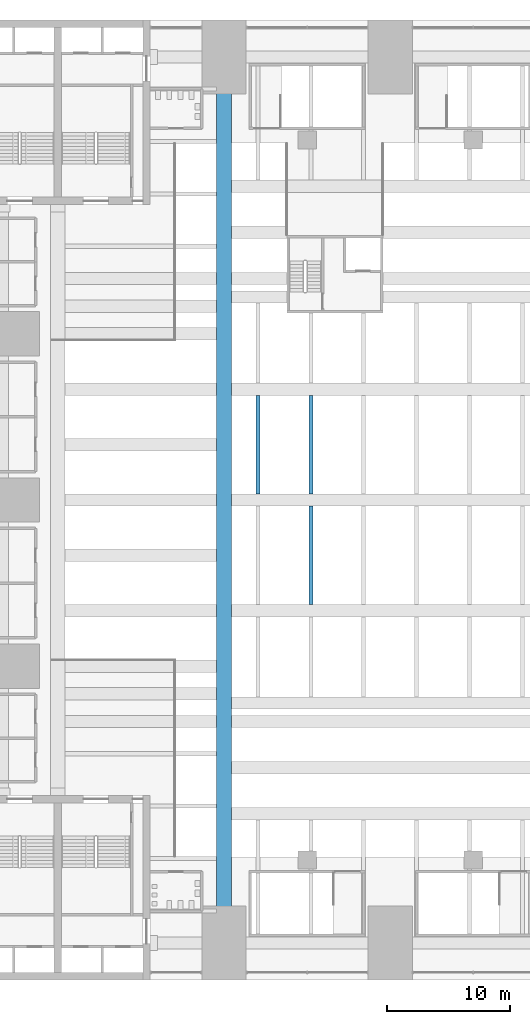
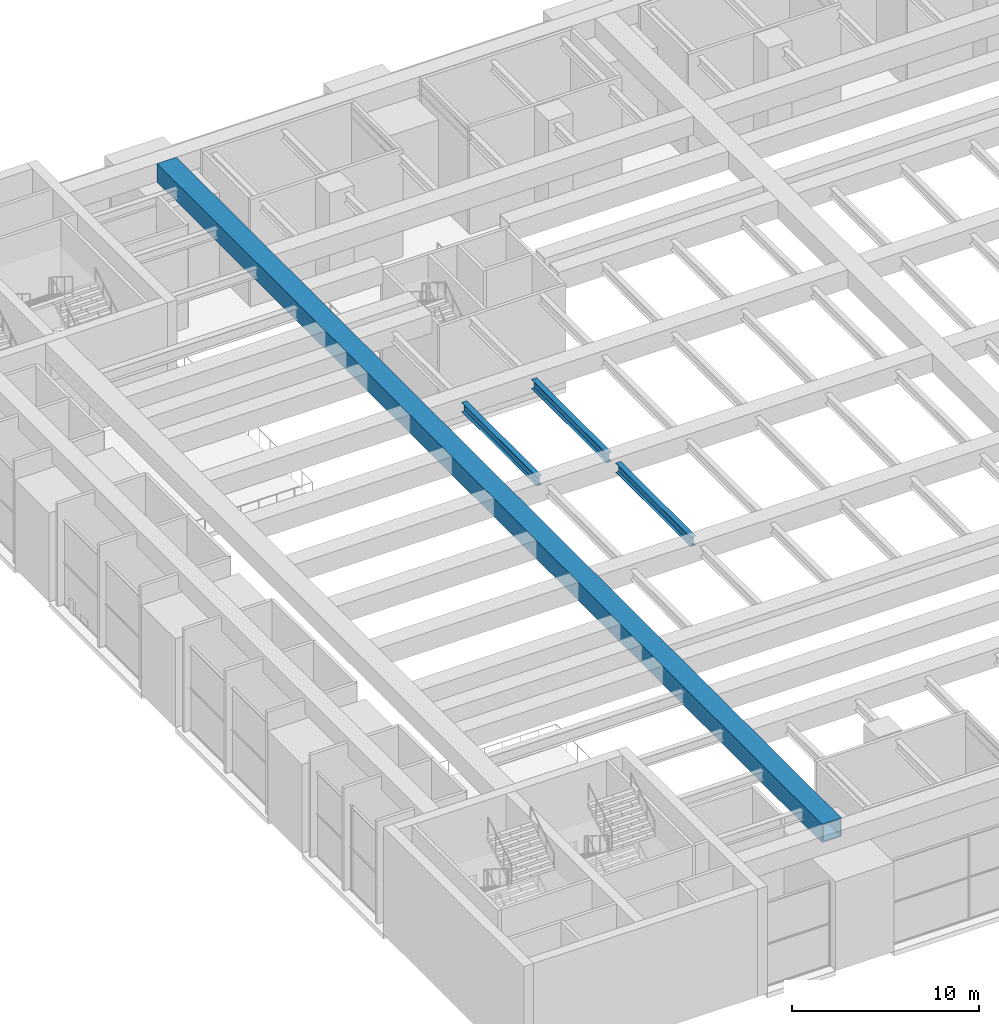
# One storey, part 11 of 45: 3 beams, 1 member.
"""IFC4 building model written with IfcOpenShell, lengths in metres."""

from ifc_helpers import new_model, si_unit, direction, frame, origin, origin_2d, place, context, subcontext, project, spatial, hollow_rectangle, i_section, extrude, material, material_profile, profile_set, type_object, element, save


model = new_model("IFC4")

# Units and contexts
model_context = context("Model", 3, precision=1e-05, world=origin(), true_north=direction((0.0, 1.0)))
body_context = subcontext(model_context, "Body", "Model", "MODEL_VIEW")
ifc_project = project(units=[si_unit("LENGTHUNIT", "METRE"), si_unit("AREAUNIT", "SQUARE_METRE"), si_unit("VOLUMEUNIT", "CUBIC_METRE"), si_unit("PLANEANGLEUNIT", "RADIAN"), si_unit("MASSUNIT", "GRAM", prefix="KILO")], contexts=[model_context])

# Site, building, storey
site_placement = place(None, origin())
site = spatial("IfcSite", under=ifc_project, at=site_placement, CompositionType="ELEMENT")
building_placement = place(site_placement, origin())
building = spatial("IfcBuilding", under=site, at=building_placement, Name="Corbelhall Arena Tower", CompositionType="ELEMENT")
storey_placement = place(building_placement, frame((0.0, 0.0, 37.0)))
storey = spatial("IfcBuildingStorey", under=building, at=storey_placement, Name="L05", CompositionType="ELEMENT", Elevation=37.0)

# Beams
ifc_material_1 = material(Name="Steel ASTM A992 Gr50", Category="steel")
ifc_material_profile_1 = material_profile(ifc_material_1, i_section(OverallWidth=0.323974609375, OverallDepth=0.611083984375, WebThickness=0.0126953125, FlangeThickness=0.01904296875, at=origin_2d()))
ifc_profile_set_1 = profile_set([ifc_material_profile_1], Name="Steel ASTM A992 Gr50")
beam_type = type_object("IfcBeamType", Name="PO-BEAM-W24X104", PredefinedType="BEAM", material=ifc_profile_set_1)
for number, where, z_axis, x_axis, name in (
    (1, (-19.949951171875, -8.5, 6.39453125), (0.0, 1.0, 0.0), (-1.0, 0.0, 0.0), "DECK BEAM BOT 22.2"),
    (2, (-24.25, 0.5, 6.39453125), (0.0, 1.0, 0.0), (-1.0, 0.0, 0.0), "DECK BEAM BOT 23.1"),
    (3, (-19.949951171875, 0.5, 6.39453125), (0.0, 1.0, 0.0), (-1.0, 0.0, 0.0), "DECK BEAM BOT 23.2"),
):
    element("IfcBeam", number, at=place(storey_placement, frame(where, z_axis=z_axis, x_axis=x_axis)), inside=storey, type_object=beam_type, Name=name, PredefinedType="BEAM", context=body_context, shape_type="SweptSolid", body=[
        extrude(i_section(OverallWidth=0.323974609375, OverallDepth=0.611083984375, WebThickness=0.0126953125, FlangeThickness=0.01904296875, at=origin_2d()), origin(), (0.0, 0.0, 1.0), 8.0),
    ])

# Member
ifc_material_2 = material(Name="Steel ASTM A572 Gr50", Category="steel")
ifc_material_profile_2 = material_profile(ifc_material_2, hollow_rectangle(XDim=1.199951171875, YDim=1.199951171875, WallThickness=0.080078125, at=origin_2d()))
ifc_profile_set_2 = profile_set([ifc_material_profile_2], Name="Steel ASTM A572 Gr50")
member_type = type_object("IfcMemberType", Name="PO-CHORD-1200X1200X80", PredefinedType="CHORD", material=ifc_profile_set_2)
member_placement = place(storey_placement, frame((-27.0, -35.5, 6.39990234375), z_axis=(0.0, 1.0, 0.0), x_axis=(-1.0, 0.0, 0.0)))
element("IfcMember", 4, at=member_placement, inside=storey, type_object=member_type, Name="TRUSS PRI--27.0 BOT CHORD", PredefinedType="CHORD", context=body_context, shape_type="SweptSolid", body=[
    extrude(hollow_rectangle(XDim=1.199951171875, YDim=1.199951171875, WallThickness=0.080078125, at=origin_2d()), origin(), (0.0, 0.0, 1.0), 71.0),
])

save(model, "model.ifc")
